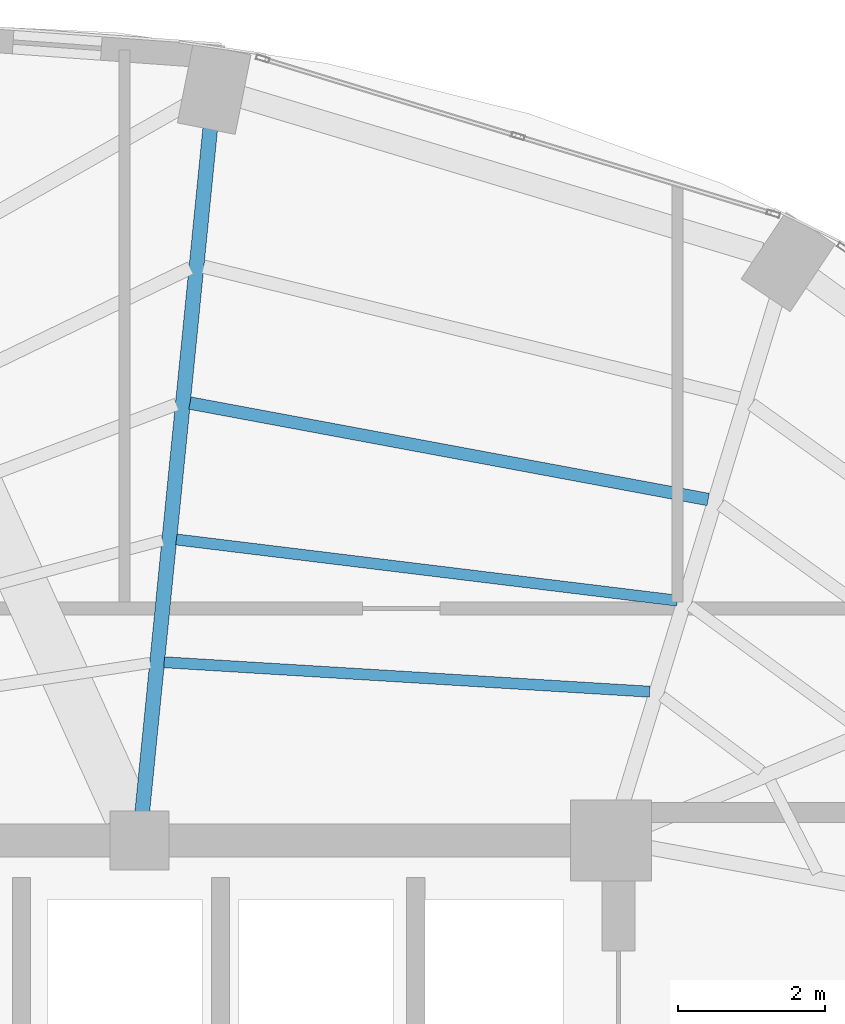
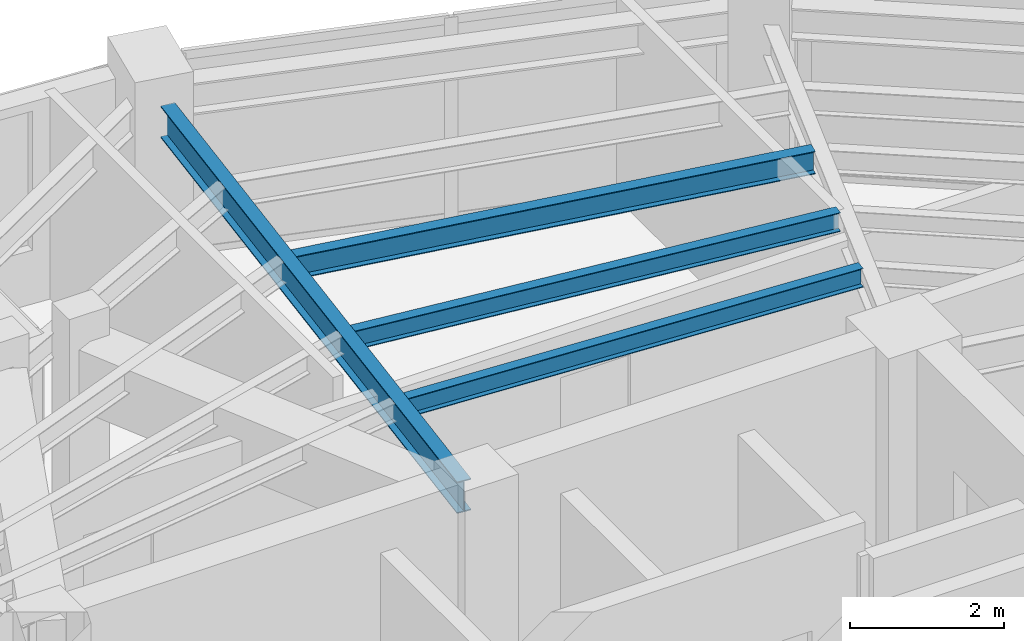
# One storey, part 12 of 22: 4 beams.
"""IFC4 building model written with IfcOpenShell, lengths in metres."""

from ifc_helpers import new_model, si_unit, direction, frame, origin, origin_2d, place, context, subcontext, project, spatial, i_section, extrude, material, material_profile, profile_set, type_object, element, save


model = new_model("IFC4")

# Units and contexts
model_context = context("Model", 3, precision=1e-05, world=origin(), true_north=direction((0.0, 1.0)))
body_context = subcontext(model_context, "Body", "Model", "MODEL_VIEW")
ifc_project = project(units=[si_unit("LENGTHUNIT", "METRE"), si_unit("AREAUNIT", "SQUARE_METRE"), si_unit("VOLUMEUNIT", "CUBIC_METRE"), si_unit("PLANEANGLEUNIT", "RADIAN"), si_unit("MASSUNIT", "GRAM", prefix="KILO")], contexts=[model_context])

# Site, building, storey
site_placement = place(None, origin())
site = spatial("IfcSite", under=ifc_project, at=site_placement, CompositionType="ELEMENT")
building_placement = place(site_placement, origin())
building = spatial("IfcBuilding", under=site, at=building_placement, Name="Lazwardi Medical Tower", CompositionType="ELEMENT")
storey_placement = place(building_placement, frame((0.0, 0.0, 242.256103515625)))
storey = spatial("IfcBuildingStorey", under=building, at=storey_placement, Name="L63", CompositionType="ELEMENT", Elevation=242.256103515625)

# Beams
ifc_material = material(Name="Steel S355", Category="steel")
ifc_material_profile_1 = material_profile(ifc_material, i_section(OverallWidth=0.199951171875, OverallDepth=0.5, WebThickness=0.01025390625, FlangeThickness=0.01611328125, at=origin_2d()), Name="IPE 500")
ifc_profile_set_1 = profile_set([ifc_material_profile_1], Name="Steel S355")
beam_type_1 = type_object("IfcBeamType", Name="BM-RG-W3", PredefinedType="BEAM", material=ifc_profile_set_1)
beam_1_placement = place(storey_placement, frame((40.1611328125, 45.265869140625, 2.947998046875), z_axis=(-0.098954361922, -0.995091972763, 0.0), x_axis=(0.995091972763, -0.098954361922, 0.0)))
element("IfcBeam", 1, at=beam_1_placement, inside=storey, type_object=beam_type_1, Name="Radial girder RG-04 R08 L63", PredefinedType="BEAM", context=body_context, shape_type="SweptSolid", body=[
    extrude(i_section(OverallWidth=0.199951171875, OverallDepth=0.5, WebThickness=0.01025390625, FlangeThickness=0.01611328125, at=origin_2d()), origin(), (0.0, 0.0, 1.0), 9.32861328125),
])
ifc_material_profile_2 = material_profile(ifc_material, i_section(OverallWidth=0.169921875, OverallDepth=0.360107421875, WebThickness=0.008056640625, FlangeThickness=0.0126953125, at=origin_2d()), Name="IPE 360")
ifc_profile_set_2 = profile_set([ifc_material_profile_2], Name="Steel S355")
beam_type_2 = type_object("IfcBeamType", Name="BM-SJ-02", PredefinedType="JOIST", material=ifc_profile_set_2)
beam_2_placement = place(storey_placement, frame((46.91552734375, 40.2275390625, 3.017822265625), z_axis=(-0.983132476587, 0.182894870019, 0.0), x_axis=(-0.182894870019, -0.983132476587, 0.0)))
element("IfcBeam", 2, at=beam_2_placement, inside=storey, type_object=beam_type_2, Name="Secondary joist SJ-02 R2 B07 L63", PredefinedType="JOIST", context=body_context, shape_type="SweptSolid", body=[
    extrude(i_section(OverallWidth=0.169921875, OverallDepth=0.360107421875, WebThickness=0.008056640625, FlangeThickness=0.0126953125, at=origin_2d()), origin(), (0.0, 0.0, 1.0), 7.15087890625),
])
ifc_material_profile_3 = material_profile(ifc_material, i_section(OverallWidth=0.14990234375, OverallDepth=0.300048828125, WebThickness=0.007080078125, FlangeThickness=0.0107421875, at=origin_2d()), Name="IPE 300")
ifc_profile_set_3 = profile_set([ifc_material_profile_3], Name="Steel S355")
beam_type_3 = type_object("IfcBeamType", Name="BM-SJ-03", PredefinedType="JOIST", material=ifc_profile_set_3)
beam_3_placement = place(storey_placement, frame((46.4970703125, 38.85546875, 3.0478515625), z_axis=(-0.992634689535, 0.121146081783, 0.0), x_axis=(-0.121146081783, -0.992634689535, 0.0)))
element("IfcBeam", 3, at=beam_3_placement, inside=storey, type_object=beam_type_3, Name="Secondary joist SJ-03 R3 B07 L63", PredefinedType="JOIST", context=body_context, shape_type="SweptSolid", body=[
    extrude(i_section(OverallWidth=0.14990234375, OverallDepth=0.300048828125, WebThickness=0.007080078125, FlangeThickness=0.0107421875, at=origin_2d()), origin(), (0.0, 0.0, 1.0), 6.845947265625),
])
beam_4_placement = place(storey_placement, frame((46.120849609375, 37.6201171875, 3.0478515625), z_axis=(-0.998165515862, 0.060544223044, 0.0), x_axis=(-0.060544223044, -0.998165515862, 0.0)))
element("IfcBeam", 4, at=beam_4_placement, inside=storey, type_object=beam_type_3, Name="Secondary joist SJ-03 R4 B07 L63", PredefinedType="JOIST", context=body_context, shape_type="SweptSolid", body=[
    extrude(i_section(OverallWidth=0.14990234375, OverallDepth=0.300048828125, WebThickness=0.007080078125, FlangeThickness=0.0107421875, at=origin_2d()), origin(), (0.0, 0.0, 1.0), 6.59716796875),
])

save(model, "model.ifc")
